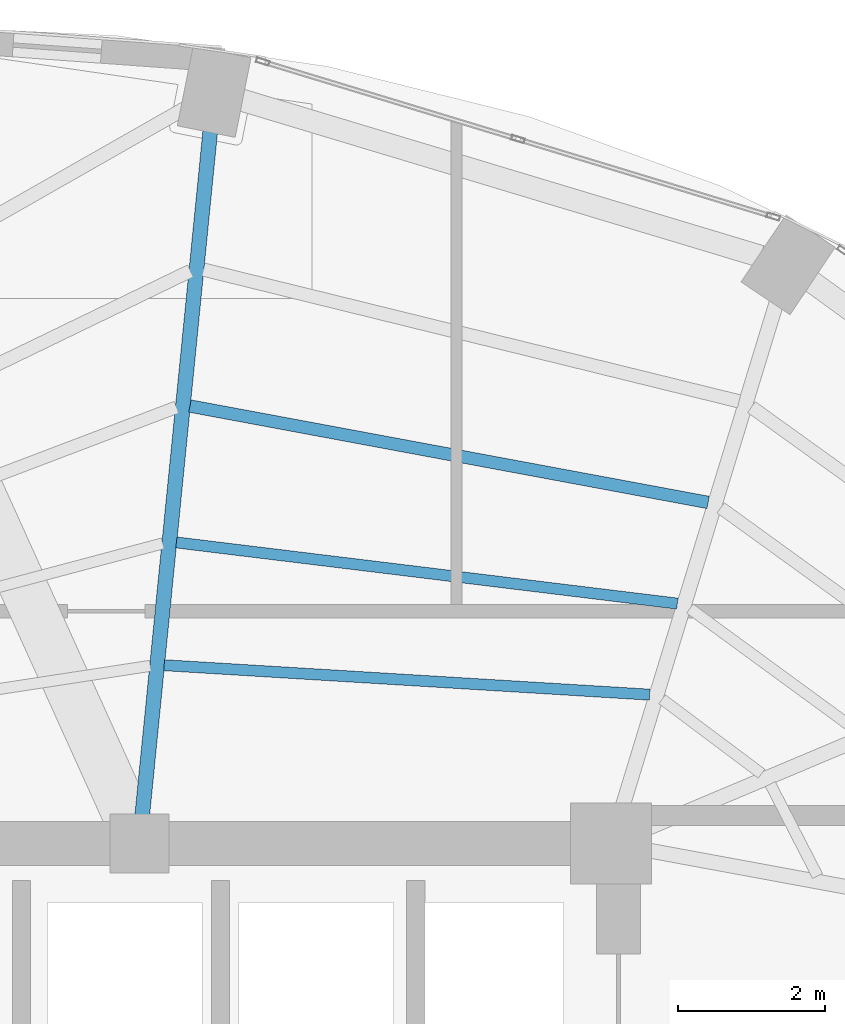
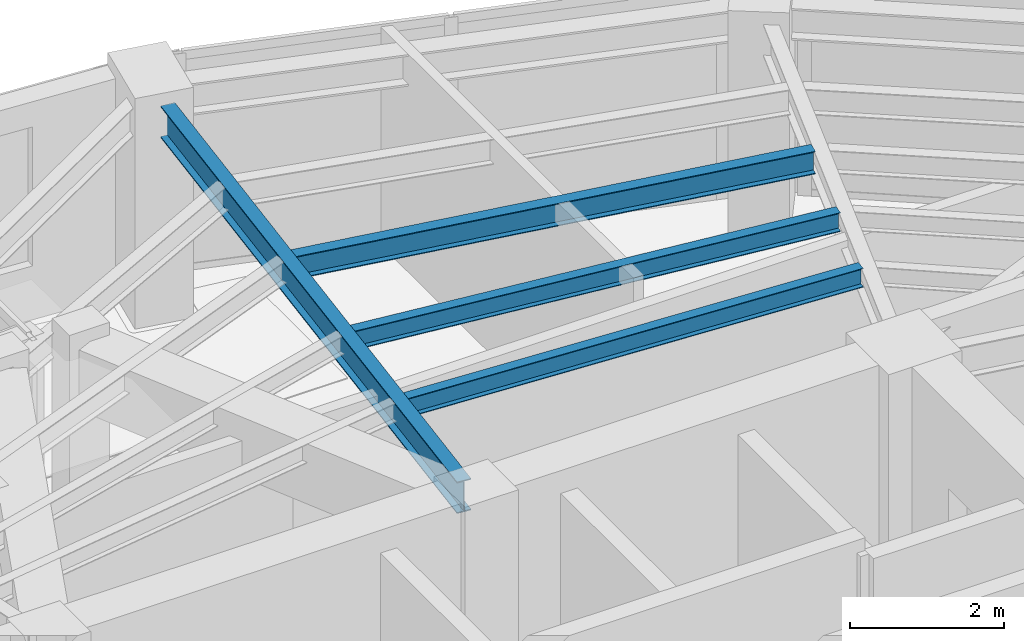
# One storey, part 12 of 23: 4 beams.
"""IFC4 building model written with IfcOpenShell, lengths in metres."""

from ifc_helpers import new_model, si_unit, direction, frame, origin, origin_2d, place, context, subcontext, project, spatial, i_section, extrude, material, material_profile, profile_set, type_object, element, save


model = new_model("IFC4")

# Units and contexts
model_context = context("Model", 3, precision=1e-05, world=origin(), true_north=direction((0.0, 1.0)))
body_context = subcontext(model_context, "Body", "Model", "MODEL_VIEW")
ifc_project = project(units=[si_unit("LENGTHUNIT", "METRE"), si_unit("AREAUNIT", "SQUARE_METRE"), si_unit("VOLUMEUNIT", "CUBIC_METRE"), si_unit("PLANEANGLEUNIT", "RADIAN"), si_unit("MASSUNIT", "GRAM", prefix="KILO")], contexts=[model_context])

# Site, building, storey
site_placement = place(None, origin())
site = spatial("IfcSite", under=ifc_project, at=site_placement, CompositionType="ELEMENT")
building_placement = place(site_placement, origin())
building = spatial("IfcBuilding", under=site, at=building_placement, Name="Lazwardi Medical Tower", CompositionType="ELEMENT")
storey_placement = place(building_placement, frame((0.0, 0.0, 205.77587890625)))
storey = spatial("IfcBuildingStorey", under=building, at=storey_placement, Name="L53", CompositionType="ELEMENT", Elevation=205.77587890625)

# Beams
ifc_material = material(Name="Steel S355", Category="steel")
ifc_material_profile_1 = material_profile(ifc_material, i_section(OverallWidth=0.199951171875, OverallDepth=0.5, WebThickness=0.01025390625, FlangeThickness=0.01611328125, at=origin_2d()), Name="IPE 500")
ifc_profile_set_1 = profile_set([ifc_material_profile_1], Name="Steel S355")
beam_type_1 = type_object("IfcBeamType", Name="BM-RG-W3", PredefinedType="BEAM", material=ifc_profile_set_1)
beam_1_placement = place(storey_placement, frame((40.1611328125, 45.265869140625, 3.1982421875), z_axis=(-0.098954361922, -0.995091972763, 0.0), x_axis=(0.995091972763, -0.098954361922, 0.0)))
element("IfcBeam", 1, at=beam_1_placement, inside=storey, type_object=beam_type_1, Name="Radial girder RG-04 R08 L53", PredefinedType="BEAM", context=body_context, shape_type="SweptSolid", body=[
    extrude(i_section(OverallWidth=0.199951171875, OverallDepth=0.5, WebThickness=0.01025390625, FlangeThickness=0.01611328125, at=origin_2d()), origin(), (0.0, 0.0, 1.0), 9.32861328125),
])
ifc_material_profile_2 = material_profile(ifc_material, i_section(OverallWidth=0.169921875, OverallDepth=0.360107421875, WebThickness=0.008056640625, FlangeThickness=0.0126953125, at=origin_2d()), Name="IPE 360")
ifc_profile_set_2 = profile_set([ifc_material_profile_2], Name="Steel S355")
beam_type_2 = type_object("IfcBeamType", Name="BM-SJ-02", PredefinedType="JOIST", material=ifc_profile_set_2)
beam_2_placement = place(storey_placement, frame((46.91552734375, 40.2275390625, 3.26806640625), z_axis=(-0.983132476587, 0.182894870019, 0.0), x_axis=(-0.182894870019, -0.983132476587, 0.0)))
element("IfcBeam", 2, at=beam_2_placement, inside=storey, type_object=beam_type_2, Name="Secondary joist SJ-02 R2 B07 L53", PredefinedType="JOIST", context=body_context, shape_type="SweptSolid", body=[
    extrude(i_section(OverallWidth=0.169921875, OverallDepth=0.360107421875, WebThickness=0.008056640625, FlangeThickness=0.0126953125, at=origin_2d()), origin(), (0.0, 0.0, 1.0), 7.15087890625),
])
ifc_material_profile_3 = material_profile(ifc_material, i_section(OverallWidth=0.14990234375, OverallDepth=0.300048828125, WebThickness=0.007080078125, FlangeThickness=0.0107421875, at=origin_2d()), Name="IPE 300")
ifc_profile_set_3 = profile_set([ifc_material_profile_3], Name="Steel S355")
beam_type_3 = type_object("IfcBeamType", Name="BM-SJ-03", PredefinedType="JOIST", material=ifc_profile_set_3)
beam_3_placement = place(storey_placement, frame((46.4970703125, 38.85546875, 3.298095703125), z_axis=(-0.992634689535, 0.121146081783, 0.0), x_axis=(-0.121146081783, -0.992634689535, 0.0)))
element("IfcBeam", 3, at=beam_3_placement, inside=storey, type_object=beam_type_3, Name="Secondary joist SJ-03 R3 B07 L53", PredefinedType="JOIST", context=body_context, shape_type="SweptSolid", body=[
    extrude(i_section(OverallWidth=0.14990234375, OverallDepth=0.300048828125, WebThickness=0.007080078125, FlangeThickness=0.0107421875, at=origin_2d()), origin(), (0.0, 0.0, 1.0), 6.845947265625),
])
beam_4_placement = place(storey_placement, frame((46.120849609375, 37.6201171875, 3.298095703125), z_axis=(-0.998165515862, 0.060544223044, 0.0), x_axis=(-0.060544223044, -0.998165515862, 0.0)))
element("IfcBeam", 4, at=beam_4_placement, inside=storey, type_object=beam_type_3, Name="Secondary joist SJ-03 R4 B07 L53", PredefinedType="JOIST", context=body_context, shape_type="SweptSolid", body=[
    extrude(i_section(OverallWidth=0.14990234375, OverallDepth=0.300048828125, WebThickness=0.007080078125, FlangeThickness=0.0107421875, at=origin_2d()), origin(), (0.0, 0.0, 1.0), 6.59716796875),
])

save(model, "model.ifc")
